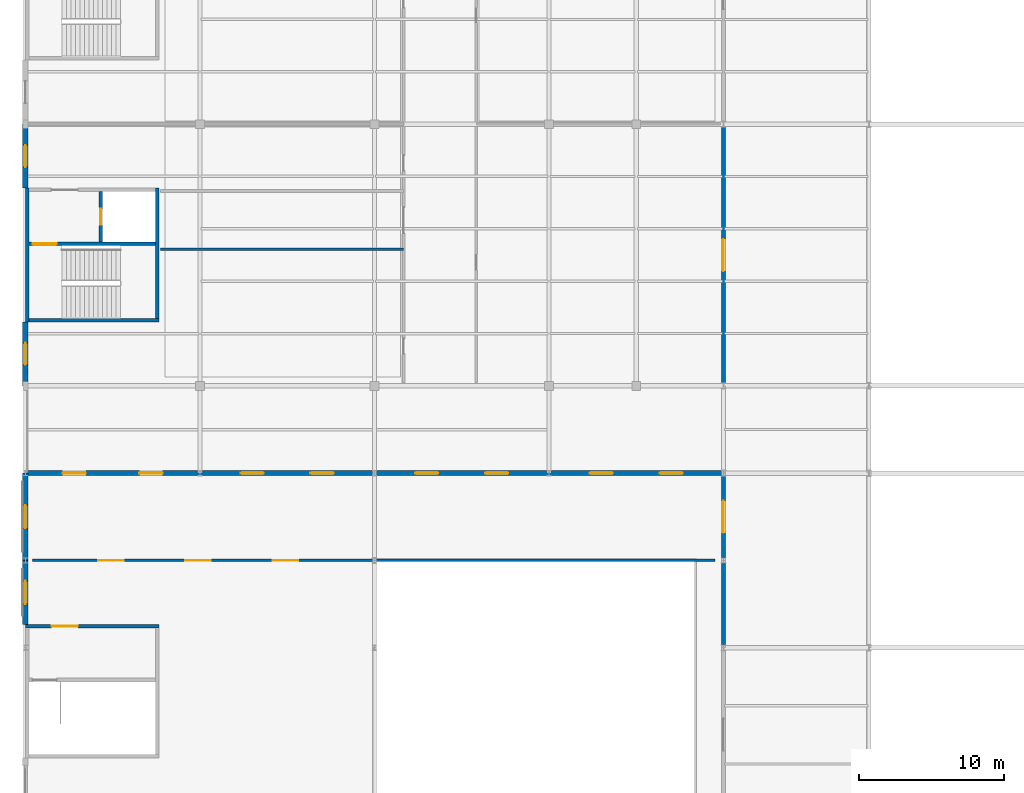
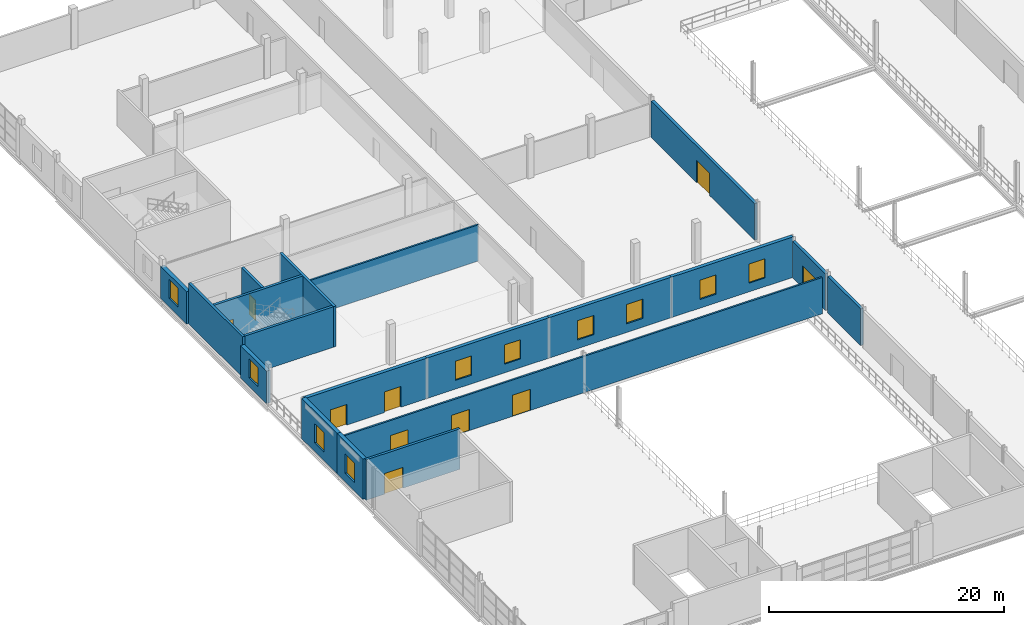
# One storey, part 133 of 147: 19 walls, 10 doors, 10 windows, 20 openings.
"""IFC4 building model written with IfcOpenShell, lengths in metres."""

import ifcopenshell
import ifcopenshell.guid

model = None  # the IFC model being written
_history = None  # IfcOwnerHistory: only IFC2X3 demands one
_inside = {}  # id of a spatial element -> (the spatial element, [elements in it])
_under = {}  # id of a project, library or spatial element -> (it, [spatial elements below it])
_declared = {}  # id of a project -> (the project, [libraries it declares])
_typed = {}  # id of a type object -> (the type object, [elements of that type])
_made_of = {}  # id of a material, layer set ... -> (it, [elements and type objects made of it])


def new_model(schema):
    """Start an empty IFC model of exactly this schema.

    Asked for "IFC4X3", IfcOpenShell would pick the latest addendum, in which some entities
    have other attributes; the version numbers below select the first issue.
    IFC2X3 requires an IfcOwnerHistory on every rooted entity: one is made here for all.
    """
    global model, _history
    if schema == "IFC4X3":
        model = ifcopenshell.file(schema_version=(4, 3, 0, 0))
    else:
        model = ifcopenshell.file(schema=schema)
    _inside.clear()
    _under.clear()
    _declared.clear()
    _typed.clear()
    _made_of.clear()
    _history = None
    if model.schema == "IFC2X3":
        org = make("IfcOrganization", Name="unknown")
        user = make(
            "IfcPersonAndOrganization",
            ThePerson=make("IfcPerson", FamilyName="unknown"),
            TheOrganization=org,
        )
        app = make(
            "IfcApplication",
            ApplicationDeveloper=org,
            Version="unknown",
            ApplicationFullName="unknown",
            ApplicationIdentifier="unknown",
        )
        _history = make(
            "IfcOwnerHistory",
            OwningUser=user,
            OwningApplication=app,
            ChangeAction="ADDED",
            CreationDate=0,
        )
    return model


def make(cls, **values):
    """One entity of the class cls with the attributes given. An attribute that is None is left unset."""
    return model.create_entity(
        cls, **{name: value for name, value in values.items() if value is not None}
    )


def rooted(cls, **values):
    """An entity with a GlobalId (a new one), such as an element, a storey or a relation."""
    return make(cls, GlobalId=ifcopenshell.guid.new(), OwnerHistory=_history, **values)


def si_unit(unit_type, name, prefix=None):
    """IfcSIUnit, for example si_unit("LENGTHUNIT", "METRE", prefix="MILLI")."""
    return make("IfcSIUnit", UnitType=unit_type, Prefix=prefix, Name=name)


def assignment(units):
    """IfcUnitAssignment: the units of a project."""
    return None if units is None else make("IfcUnitAssignment", Units=units)


def point(xyz):
    """IfcCartesianPoint."""
    return None if xyz is None else make("IfcCartesianPoint", Coordinates=xyz)


def direction(xyz):
    """IfcDirection."""
    return None if xyz is None else make("IfcDirection", DirectionRatios=xyz)


def frame(location, z_axis=None, x_axis=None):
    """IfcAxis2Placement3D, a coordinate frame: its origin and axes. An axis left out is left unset."""
    return make(
        "IfcAxis2Placement3D",
        Location=point(location),
        Axis=direction(z_axis),
        RefDirection=direction(x_axis),
    )


def frame_2d(location, x_axis=None):
    """IfcAxis2Placement2D, a coordinate frame in the plane: its origin and x axis."""
    return make(
        "IfcAxis2Placement2D", Location=point(location), RefDirection=direction(x_axis)
    )


def origin():
    """The frame at (0, 0, 0) with its axes left unset."""
    return frame((0.0, 0.0, 0.0))


def place(relative_to, where):
    """IfcLocalPlacement: puts the frame where relative to a parent placement (None: the world)."""
    return make(
        "IfcLocalPlacement", PlacementRelTo=relative_to, RelativePlacement=where
    )


def context(
    kind, dimensions, precision=None, world=None, true_north=None, identifier=None
):
    """IfcGeometricRepresentationContext, for example the 3D "Model" context."""
    return make(
        "IfcGeometricRepresentationContext",
        ContextIdentifier=identifier,
        ContextType=kind,
        CoordinateSpaceDimension=dimensions,
        Precision=precision,
        WorldCoordinateSystem=world,
        TrueNorth=true_north,
    )


def subcontext(parent, identifier, kind, view, scale=None):
    """IfcGeometricRepresentationSubContext, for example "Body" below "Model"."""
    return make(
        "IfcGeometricRepresentationSubContext",
        ContextIdentifier=identifier,
        ContextType=kind,
        ParentContext=parent,
        TargetScale=scale,
        TargetView=view,
    )


def project(units=None, contexts=None):
    """IfcProject with its units and contexts."""
    return rooted(
        "IfcProject",
        Name="project",
        RepresentationContexts=contexts,
        UnitsInContext=assignment(units),
    )


def spatial(cls, under=None, at=None, **own):
    """A site, building, storey or space (cls), placed at a placement, below another one or the project."""
    s = rooted(cls, ObjectPlacement=at, **own)
    if under is not None:
        _under.setdefault(under.id(), (under, []))[1].append(s)
    return s


def profile(cls, at=None, kind="AREA", **sizes):
    """A parametric profile (cls). Its sizes go by their IFC names, for example OverallWidth=200.0."""
    return make(cls, ProfileType=kind, Position=at, **sizes)


def rectangle(**sizes):
    """IfcRectangleProfileDef."""
    return profile("IfcRectangleProfileDef", **sizes)


def extrude(swept, where, along, depth):
    """IfcExtrudedAreaSolid: the profile swept, set in the frame where, extruded along a direction by depth."""
    return make(
        "IfcExtrudedAreaSolid",
        SweptArea=swept,
        Position=where,
        ExtrudedDirection=direction(along),
        Depth=depth,
    )


def shape(context_of_items, identifier, shape_type, items):
    """IfcShapeRepresentation: the items that make up one representation, for example the "Body"."""
    return make(
        "IfcShapeRepresentation",
        ContextOfItems=context_of_items,
        RepresentationIdentifier=identifier,
        RepresentationType=shape_type,
        Items=items,
    )


def material(Name=None, Category=None):
    """IfcMaterial."""
    return make("IfcMaterial", Name=Name, Category=Category)


def layer(
    of_material, thickness, ventilated=None, Name=None, Category=None, Priority=None
):
    """IfcMaterialLayer: one layer of a wall or slab, of a material (None: an air gap)."""
    return make(
        "IfcMaterialLayer",
        Material=of_material,
        LayerThickness=thickness,
        IsVentilated=ventilated,
        Name=Name,
        Category=Category,
        Priority=Priority,
    )


def layer_set(layers, Name=None):
    """IfcMaterialLayerSet."""
    return make("IfcMaterialLayerSet", MaterialLayers=layers, LayerSetName=Name)


def made_of(thing, what):
    """Note that an element or type object is made of a material, layer set ...; save() writes the relation."""
    if what is not None:
        _made_of.setdefault(what.id(), (what, []))[1].append(thing)
    return thing


def type_object(cls, material=None, **own):
    """A type object (cls), such as IfcWallType, which elements share."""
    return made_of(rooted(cls, **own), material)


def element(
    cls,
    number,
    at=None,
    inside=None,
    cuts=None,
    type_object=None,
    material=None,
    context=None,
    identifier="Body",
    shape_type=None,
    held_by="IfcProductDefinitionShape",
    body=None,
    shapes=None,
    **own,
):
    """One element of the class cls, such as IfcWall. Its Tag is "e" and its number.

    at: its placement. inside: the storey or other place that contains it. cuts: it is an
    opening in that element (IfcRelVoidsElement). A single representation is given by context,
    identifier, shape_type and body (its items); several are given by shapes. held_by: the class
    of the entity that holds the representations. save() writes the other relations.
    """
    e = rooted(cls, Tag="e%d" % number, ObjectPlacement=at, **own)
    if body is not None:
        shapes = [shape(context, identifier, shape_type, body)]
    if shapes is not None:
        e.Representation = make(held_by, Representations=shapes)
    if inside is not None:
        _inside.setdefault(inside.id(), (inside, []))[1].append(e)
    if cuts is not None:
        rooted(
            "IfcRelVoidsElement", RelatingBuildingElement=cuts, RelatedOpeningElement=e
        )
    if type_object is not None:
        _typed.setdefault(type_object.id(), (type_object, []))[1].append(e)
    return made_of(e, material)


def fill(opening, filler):
    """IfcRelFillsElement: the door or window that sits in an opening."""
    return rooted(
        "IfcRelFillsElement",
        RelatingOpeningElement=opening,
        RelatedBuildingElement=filler,
    )


def aggregate(whole, parts):
    """IfcRelAggregates: a whole, such as a stair, and the parts it consists of."""
    return rooted("IfcRelAggregates", RelatingObject=whole, RelatedObjects=parts)


def save(model, path):
    """Write the relations noted so far, then the file.

    IfcRelAggregates (storeys below a building ...), IfcRelContainedInSpatialStructure (elements
    in a storey), IfcRelDefinesByType, IfcRelAssociatesMaterial and IfcRelDeclares: one each for
    every whole, place, type object, material and project.
    """
    for whole, parts in _under.values():
        aggregate(whole, parts)
    for where, things in _inside.values():
        rooted(
            "IfcRelContainedInSpatialStructure",
            RelatedElements=things,
            RelatingStructure=where,
        )
    for kind, things in _typed.values():
        rooted("IfcRelDefinesByType", RelatedObjects=things, RelatingType=kind)
    for what, things in _made_of.values():
        rooted("IfcRelAssociatesMaterial", RelatedObjects=things, RelatingMaterial=what)
    for by, libraries in _declared.values():
        rooted("IfcRelDeclares", RelatingContext=by, RelatedDefinitions=libraries)
    model.write(path)


model = new_model("IFC4")

# Units and contexts
model_context = context("Model", 3, precision=1e-05, world=origin(), true_north=direction((0.0, 1.0)))
body_context = subcontext(model_context, "Body", "Model", "MODEL_VIEW")
ifc_project = project(units=[si_unit("LENGTHUNIT", "METRE"), si_unit("AREAUNIT", "SQUARE_METRE"), si_unit("VOLUMEUNIT", "CUBIC_METRE"), si_unit("PLANEANGLEUNIT", "RADIAN"), si_unit("MASSUNIT", "GRAM", prefix="KILO")], contexts=[model_context])

# Site, building, storey
site_placement = place(None, origin())
site = spatial("IfcSite", under=ifc_project, at=site_placement, CompositionType="ELEMENT")
building_placement = place(site_placement, origin())
building = spatial("IfcBuilding", under=site, at=building_placement, Name="Zilviju Railside Exhibition Hall", CompositionType="ELEMENT")
storey_placement = place(building_placement, frame((0.0, 0.0, 8.39990234375)))
storey = spatial("IfcBuildingStorey", under=building, at=storey_placement, Name="L03", CompositionType="ELEMENT", Elevation=8.39990234375)

# Wall
ifc_material_1 = material(Name="Concrete C35/45", Category="concrete")
ifc_layer_1 = layer(ifc_material_1, 0.280029296875)
ifc_layer_set_1 = layer_set([ifc_layer_1], Name="Concrete C35/45")
wall_type_1 = type_object("IfcWallType", Name="WL-COMP-280", PredefinedType="SHEAR", material=ifc_layer_set_1)
wall_1_placement = place(storey_placement, frame((48.0, 66.201904296875, 0.0), z_axis=(0.0, 0.0, 1.0), x_axis=(0.0, 1.0, 0.0)))
element("IfcWall", 1, at=wall_1_placement, inside=storey, type_object=wall_type_1, Name="REI 180 Congress-Concourse Compartment Wall L03", PredefinedType="SHEAR", context=body_context, shape_type="SweptSolid", body=[
    extrude(rectangle(XDim=5.59619140625, YDim=0.280029296875, at=frame_2d((2.798095703125, 0.0))), origin(), (0.0, 0.0, 1.0), 3.800048828125),
])

# Wall, opening, door
wall_2_placement = place(storey_placement, frame((48.0, 72.201904296875, 0.0), z_axis=(0.0, 0.0, 1.0), x_axis=(0.0, 1.0, 0.0)))
wall_2 = element("IfcWall", 2, at=wall_2_placement, inside=storey, type_object=wall_type_1, Name="REI 180 Congress-Concourse Compartment Wall L03", PredefinedType="SHEAR", context=body_context, shape_type="SweptSolid", body=[
    extrude(rectangle(XDim=5.59619140625, YDim=0.280029296875, at=frame_2d((2.798095703125, 0.0))), origin(), (0.0, 0.0, 1.0), 3.800048828125),
])
opening_1_placement = place(wall_2_placement, frame((1.697998046875, 0.0, 0.0)))
opening_1 = element("IfcOpeningElement", 3, at=opening_1_placement, cuts=wall_2, Name="Opening FD-03", PredefinedType="OPENING", context=body_context, shape_type="SweptSolid", body=[
    extrude(rectangle(XDim=2.199951171875, YDim=2.300048828125, at=frame_2d((1.10009765625, 1.14990234375))), frame((0.0, 0.14990234375, 0.0), z_axis=(0.0, -1.0, 0.0), x_axis=(1.0, 0.0, 0.0)), (0.0, 0.0, 1.0), 0.300048828125),
])
ifc_material_2 = material(Name="Hold-open double compartment fire door EI 60", Category="wood")
door_type_1 = type_object("IfcDoorType", Name="DR-COMP-220x230", OperationType="NOTDEFINED", PredefinedType="DOOR", material=ifc_material_2)
door_1_placement = place(opening_1_placement, origin())
door_1 = element("IfcDoor", 4, at=door_1_placement, inside=storey, type_object=door_type_1, Name="Congress Link Fire Door L03", OperationType="DOUBLE_DOOR_SINGLE_SWING", OverallHeight=2.300048828125, OverallWidth=2.199951171875, PredefinedType="DOOR", context=body_context, shape_type="SweptSolid", body=[
    extrude(rectangle(XDim=2.199951171875, YDim=2.300048828125, at=frame_2d((1.10009765625, 1.14990234375))), frame((0.0, 0.02490234375, 0.0), z_axis=(0.0, -1.0, 0.0), x_axis=(1.0, 0.0, 0.0)), (0.0, 0.0, 1.0), 0.050048828125),
])
fill(opening_1, door_1)

wall_3_placement = place(storey_placement, frame((48.0, 84.201904296875, 0.0), z_axis=(0.0, 0.0, 1.0), x_axis=(0.0, 1.0, 0.0)))
wall_3 = element("IfcWall", 5, at=wall_3_placement, inside=storey, type_object=wall_type_1, Name="REI 180 Congress-Concourse Compartment Wall L03", PredefinedType="SHEAR", context=body_context, shape_type="SweptSolid", body=[
    extrude(rectangle(XDim=17.59619140625, YDim=0.280029296875, at=frame_2d((8.798095703125, 0.0))), origin(), (0.0, 0.0, 1.0), 3.800048828125),
])
opening_2_placement = place(wall_3_placement, frame((7.697998046875, 0.0, 0.0)))
opening_2 = element("IfcOpeningElement", 6, at=opening_2_placement, cuts=wall_3, Name="Opening FD-03", PredefinedType="OPENING", context=body_context, shape_type="SweptSolid", body=[
    extrude(rectangle(XDim=2.199951171875, YDim=2.300048828125, at=frame_2d((1.10009765625, 1.14990234375))), frame((0.0, 0.14990234375, 0.0), z_axis=(0.0, -1.0, 0.0), x_axis=(1.0, 0.0, 0.0)), (0.0, 0.0, 1.0), 0.300048828125),
])
door_2_placement = place(opening_2_placement, origin())
door_2 = element("IfcDoor", 7, at=door_2_placement, inside=storey, type_object=door_type_1, Name="Congress Link Fire Door L03", OperationType="DOUBLE_DOOR_SINGLE_SWING", OverallHeight=2.300048828125, OverallWidth=2.199951171875, PredefinedType="DOOR", context=body_context, shape_type="SweptSolid", body=[
    extrude(rectangle(XDim=2.199951171875, YDim=2.300048828125, at=frame_2d((1.10009765625, 1.14990234375))), frame((0.0, 0.02490234375, 0.0), z_axis=(0.0, -1.0, 0.0), x_axis=(1.0, 0.0, 0.0)), (0.0, 0.0, 1.0), 0.050048828125),
])
fill(opening_2, door_2)

ifc_layer_2 = layer(ifc_material_1, 0.25)
ifc_layer_set_2 = layer_set([ifc_layer_2], Name="Concrete C35/45")
wall_type_2 = type_object("IfcWallType", Name="WL-CORE-250", PredefinedType="SHEAR", material=ifc_layer_set_2)
wall_4_placement = place(storey_placement, frame((0.0, 67.47509765625, 0.0), z_axis=(0.0, 0.0, 1.0), x_axis=(1.0, 0.0, 0.0)))
wall_4 = element("IfcWall", 8, at=wall_4_placement, inside=storey, type_object=wall_type_2, Name="Core C14 Congress Plenary West Lobby Side Wall L03", PredefinedType="SHEAR", context=body_context, shape_type="SweptSolid", body=[
    extrude(rectangle(XDim=9.199951171875, YDim=0.25, at=frame_2d((4.60009765625, 0.0))), origin(), (0.0, 0.0, 1.0), 4.2001953125),
])
opening_3_placement = place(wall_4_placement, frame((1.800048828125, 0.0, 0.0)))
opening_3 = element("IfcOpeningElement", 9, at=opening_3_placement, cuts=wall_4, Name="Opening FD-02", PredefinedType="OPENING", context=body_context, shape_type="SweptSolid", body=[
    extrude(rectangle(XDim=1.800048828125, YDim=2.14990234375, at=frame_2d((0.89990234375, 1.074951171875))), frame((0.0, 0.135009765625, 0.0), z_axis=(0.0, -1.0, 0.0), x_axis=(1.0, 0.0, 0.0)), (0.0, 0.0, 1.0), 0.27001953125),
])
ifc_material_3 = material(Name="Self-closing glazed steel core lobby fire door EI 60", Category="steel")
door_type_2 = type_object("IfcDoorType", Name="DR-LOBBY-180x215", OperationType="NOTDEFINED", PredefinedType="DOOR", material=ifc_material_3)
door_3_placement = place(opening_3_placement, origin())
door_3 = element("IfcDoor", 10, at=door_3_placement, inside=storey, type_object=door_type_2, Name="Core C14 Congress Plenary West Lobby Fire Door L03", OperationType="DOUBLE_DOOR_SINGLE_SWING", OverallHeight=2.14990234375, OverallWidth=1.800048828125, PredefinedType="DOOR", context=body_context, shape_type="SweptSolid", body=[
    extrude(rectangle(XDim=1.800048828125, YDim=2.14990234375, at=frame_2d((0.89990234375, 1.074951171875))), frame((0.0, 0.02490234375, 0.0), z_axis=(0.0, -1.0, 0.0), x_axis=(1.0, 0.0, 0.0)), (0.0, 0.0, 1.0), 0.050048828125),
])
fill(opening_3, door_3)

# Walls
wall_5_placement = place(storey_placement, frame((0.0, 88.52490234375, 0.0), z_axis=(0.0, 0.0, 1.0), x_axis=(1.0, 0.0, 0.0)))
element("IfcWall", 11, at=wall_5_placement, inside=storey, type_object=wall_type_2, Name="Core C15 Organisers Wing South Stairwell Outer Wall L03", PredefinedType="SHEAR", context=body_context, shape_type="SweptSolid", body=[
    extrude(rectangle(XDim=9.199951171875, YDim=0.25, at=frame_2d((4.60009765625, 0.0))), origin(), (0.0, 0.0, 1.0), 4.2001953125),
])
wall_6_placement = place(storey_placement, frame((9.074951171875, 88.39990234375, 0.0), z_axis=(0.0, 0.0, 1.0), x_axis=(0.0, 1.0, 0.0)))
element("IfcWall", 12, at=wall_6_placement, inside=storey, type_object=wall_type_2, Name="Core C15 Organisers Wing South Core Rear Wall L03", PredefinedType="SHEAR", context=body_context, shape_type="SweptSolid", body=[
    extrude(rectangle(XDim=9.2001953125, YDim=0.25, at=frame_2d((4.60009765625, 0.0))), origin(), (0.0, 0.0, 1.0), 4.2001953125),
])

# Wall, opening, door
wall_7_placement = place(storey_placement, frame((0.25, 93.77490234375, 0.0), z_axis=(0.0, 0.0, 1.0), x_axis=(1.0, 0.0, 0.0)))
wall_7 = element("IfcWall", 13, at=wall_7_placement, inside=storey, type_object=wall_type_2, Name="Core C15 Organisers Wing South Stairwell Partition Wall L03", PredefinedType="SHEAR", context=body_context, shape_type="SweptSolid", body=[
    extrude(rectangle(XDim=8.699951171875, YDim=0.25, at=frame_2d((4.35009765625, 0.0))), origin(), (0.0, 0.0, 1.0), 4.2001953125),
])
opening_4_placement = place(wall_7_placement, frame((0.25, 0.0, 0.0)))
opening_4 = element("IfcOpeningElement", 14, at=opening_4_placement, cuts=wall_7, Name="Opening FD-01", PredefinedType="OPENING", context=body_context, shape_type="SweptSolid", body=[
    extrude(rectangle(XDim=1.64990234375, YDim=2.10009765625, at=frame_2d((0.824951171875, 1.050048828125))), frame((0.0, 0.135009765625, 0.0), z_axis=(0.0, -1.0, 0.0), x_axis=(1.0, 0.0, 0.0)), (0.0, 0.0, 1.0), 0.27001953125),
])
ifc_material_4 = material(Name="Self-closing steel stair enclosure fire door EI 60", Category="steel")
door_type_3 = type_object("IfcDoorType", Name="DR-STAIR-165x210", OperationType="NOTDEFINED", PredefinedType="DOOR", material=ifc_material_4)
door_4_placement = place(opening_4_placement, origin())
door_4 = element("IfcDoor", 15, at=door_4_placement, inside=storey, type_object=door_type_3, Name="Core C15 Organisers Wing South Protected Stair Door L03", OperationType="SINGLE_SWING_LEFT", OverallHeight=2.10009765625, OverallWidth=1.64990234375, PredefinedType="DOOR", context=body_context, shape_type="SweptSolid", body=[
    extrude(rectangle(XDim=1.64990234375, YDim=2.10009765625, at=frame_2d((0.824951171875, 1.050048828125))), frame((0.0, 0.02490234375, 0.0), z_axis=(0.0, -1.0, 0.0), x_axis=(1.0, 0.0, 0.0)), (0.0, 0.0, 1.0), 0.050048828125),
])
fill(opening_4, door_4)

wall_8_placement = place(storey_placement, frame((5.175048828125, 93.89990234375, 0.0), z_axis=(0.0, 0.0, 1.0), x_axis=(0.0, 1.0, 0.0)))
wall_8 = element("IfcWall", 16, at=wall_8_placement, inside=storey, type_object=wall_type_2, Name="Core C15 Organisers Wing South Lift Shaft Front Wall L03", PredefinedType="SHEAR", context=body_context, shape_type="SweptSolid", body=[
    extrude(rectangle(XDim=3.4501953125, YDim=0.25, at=frame_2d((1.72509765625, 0.0))), origin(), (0.0, 0.0, 1.0), 4.2001953125),
])
opening_5_placement = place(wall_8_placement, frame((1.175048828125, 0.0, 0.0)))
opening_5 = element("IfcOpeningElement", 17, at=opening_5_placement, cuts=wall_8, Name="Opening LD-01", PredefinedType="OPENING", context=body_context, shape_type="SweptSolid", body=[
    extrude(rectangle(XDim=1.10009765625, YDim=2.10009765625, at=frame_2d((0.550048828125, 1.050048828125))), frame((0.0, 0.135009765625, 0.0), z_axis=(0.0, -1.0, 0.0), x_axis=(1.0, 0.0, 0.0)), (0.0, 0.0, 1.0), 0.27001953125),
])
ifc_material_5 = material(Name="Passenger lift sliding landing door EI 60", Category="wood")
door_type_4 = type_object("IfcDoorType", Name="DR-LIFT-110x210", OperationType="NOTDEFINED", PredefinedType="DOOR", material=ifc_material_5)
door_5_placement = place(opening_5_placement, origin())
door_5 = element("IfcDoor", 18, at=door_5_placement, inside=storey, type_object=door_type_4, Name="Lift Landing Door LP-06 L03", OperationType="SLIDING_TO_LEFT", OverallHeight=2.10009765625, OverallWidth=1.10009765625, PredefinedType="DOOR", context=body_context, shape_type="SweptSolid", body=[
    extrude(rectangle(XDim=1.10009765625, YDim=2.10009765625, at=frame_2d((0.550048828125, 1.050048828125))), frame((0.0, 0.02490234375, 0.0), z_axis=(0.0, -1.0, 0.0), x_axis=(1.0, 0.0, 0.0)), (0.0, 0.0, 1.0), 0.050048828125),
])
fill(opening_5, door_5)

# Wall
ifc_material_6 = material(Name="Concrete C40/50", Category="concrete")
ifc_layer_3 = layer(ifc_material_6, 0.25)
ifc_layer_set_3 = layer_set([ifc_layer_3], Name="Concrete C40/50")
wall_type_3 = type_object("IfcWallType", Name="WL-CORE-300", PredefinedType="SHEAR", material=ifc_layer_set_3)
wall_9_placement = place(storey_placement, frame((0.125, 88.39990234375, 0.0), z_axis=(0.0, 0.0, 1.0), x_axis=(0.0, 1.0, 0.0)))
element("IfcWall", 19, at=wall_9_placement, inside=storey, type_object=wall_type_3, Name="Core C15 Organisers Wing South Exterior Core Wall L03", PredefinedType="SHEAR", context=body_context, shape_type="SweptSolid", body=[
    extrude(rectangle(XDim=9.2001953125, YDim=0.25, at=frame_2d((4.60009765625, 0.0))), origin(), (0.0, 0.0, 1.0), 4.2001953125),
])

# Wall, openings, doors
ifc_material_7 = material(Name="Insulated terrace foyer masonry wall", Category="masonry")
ifc_layer_4 = layer(ifc_material_7, 0.340087890625)
ifc_layer_set_4 = layer_set([ifc_layer_4], Name="Insulated terrace foyer masonry wall")
wall_type_4 = type_object("IfcWallType", Name="WL-EXT-340", PredefinedType="SOLIDWALL", material=ifc_layer_set_4)
wall_10_placement = place(storey_placement, frame((0.0, 78.0, 0.0), z_axis=(0.0, 0.0, 1.0), x_axis=(1.0, 0.0, 0.0)))
wall_10 = element("IfcWall", 20, at=wall_10_placement, inside=storey, type_object=wall_type_4, Name="Exterior Facade Wall L03 North 0462", PredefinedType="SOLIDWALL", context=body_context, shape_type="SweptSolid", body=[
    extrude(rectangle(XDim=12.0, YDim=0.340087890625, at=frame_2d((6.0, 0.0))), origin(), (0.0, 0.0, 1.0), 4.2001953125),
])
opening_6_placement = place(wall_10_placement, frame((2.56005859375, 0.0, 0.0)))
opening_6 = element("IfcOpeningElement", 21, at=opening_6_placement, cuts=wall_10, Name="Opening TD-02", PredefinedType="OPENING", context=body_context, shape_type="SweptSolid", body=[
    extrude(rectangle(XDim=1.60009765625, YDim=2.14990234375, at=frame_2d((0.800048828125, 1.074951171875))), frame((0.0, 0.179931640625, 0.0), z_axis=(0.0, -1.0, 0.0), x_axis=(1.0, 0.0, 0.0)), (0.0, 0.0, 1.0), 0.360107421875),
])
opening_7_placement = place(wall_10_placement, frame((7.840087890625, 0.0, 0.0)))
opening_7 = element("IfcOpeningElement", 22, at=opening_7_placement, cuts=wall_10, Name="Opening TD-02", PredefinedType="OPENING", context=body_context, shape_type="SweptSolid", body=[
    extrude(rectangle(XDim=1.60009765625, YDim=2.14990234375, at=frame_2d((0.800048828125, 1.074951171875))), frame((0.0, 0.179931640625, 0.0), z_axis=(0.0, -1.0, 0.0), x_axis=(1.0, 0.0, 0.0)), (0.0, 0.0, 1.0), 0.360107421875),
])
ifc_material_8 = material(Name="Triple-glazed terrace lounge door", Category="steel")
door_type_5 = type_object("IfcDoorType", Name="DR-EXT-TERR-160x215", OperationType="NOTDEFINED", PredefinedType="DOOR", material=ifc_material_8)
door_6_placement = place(opening_6_placement, origin())
door_6 = element("IfcDoor", 23, at=door_6_placement, inside=storey, type_object=door_type_5, Name="Congress North Skirt Roof Garden Door TD-V4-N", OperationType="DOUBLE_DOOR_SINGLE_SWING", OverallHeight=2.14990234375, OverallWidth=1.60009765625, PredefinedType="DOOR", context=body_context, shape_type="SweptSolid", body=[
    extrude(rectangle(XDim=1.60009765625, YDim=2.14990234375, at=frame_2d((0.800048828125, 1.074951171875))), frame((0.0, 0.02490234375, 0.0), z_axis=(0.0, -1.0, 0.0), x_axis=(1.0, 0.0, 0.0)), (0.0, 0.0, 1.0), 0.050048828125),
])
fill(opening_6, door_6)
door_7_placement = place(opening_7_placement, origin())
door_7 = element("IfcDoor", 24, at=door_7_placement, inside=storey, type_object=door_type_5, Name="Congress North Skirt Roof Garden Door TD-V4-N", OperationType="DOUBLE_DOOR_SINGLE_SWING", OverallHeight=2.14990234375, OverallWidth=1.60009765625, PredefinedType="DOOR", context=body_context, shape_type="SweptSolid", body=[
    extrude(rectangle(XDim=1.60009765625, YDim=2.14990234375, at=frame_2d((0.800048828125, 1.074951171875))), frame((0.0, 0.02490234375, 0.0), z_axis=(0.0, -1.0, 0.0), x_axis=(1.0, 0.0, 0.0)), (0.0, 0.0, 1.0), 0.050048828125),
])
fill(opening_7, door_7)

# Wall, openings, windows
wall_11_placement = place(storey_placement, frame((12.0, 78.0, 0.0), z_axis=(0.0, 0.0, 1.0), x_axis=(1.0, 0.0, 0.0)))
wall_11 = element("IfcWall", 25, at=wall_11_placement, inside=storey, type_object=wall_type_4, Name="Exterior Facade Wall L03 North 0463", PredefinedType="SOLIDWALL", context=body_context, shape_type="SweptSolid", body=[
    extrude(rectangle(XDim=12.0, YDim=0.340087890625, at=frame_2d((6.0, 0.0))), origin(), (0.0, 0.0, 1.0), 4.2001953125),
])
opening_8_placement = place(wall_11_placement, frame((2.800048828125, 0.0, 0.89990234375)))
opening_8 = element("IfcOpeningElement", 26, at=opening_8_placement, cuts=wall_11, Name="Opening WN-02", PredefinedType="OPENING", context=body_context, shape_type="SweptSolid", body=[
    extrude(rectangle(XDim=1.60009765625, YDim=2.0, at=frame_2d((0.800048828125, 1.0))), frame((0.0, 0.179931640625, 0.0), z_axis=(0.0, -1.0, 0.0), x_axis=(1.0, 0.0, 0.0)), (0.0, 0.0, 1.0), 0.360107421875),
])
opening_9_placement = place(wall_11_placement, frame((7.60009765625, 0.0, 0.89990234375)))
opening_9 = element("IfcOpeningElement", 27, at=opening_9_placement, cuts=wall_11, Name="Opening WN-02", PredefinedType="OPENING", context=body_context, shape_type="SweptSolid", body=[
    extrude(rectangle(XDim=1.60009765625, YDim=2.0, at=frame_2d((0.800048828125, 1.0))), frame((0.0, 0.179931640625, 0.0), z_axis=(0.0, -1.0, 0.0), x_axis=(1.0, 0.0, 0.0)), (0.0, 0.0, 1.0), 0.360107421875),
])
ifc_material_9 = material(Name="Triple-glazed timber-aluminium window unit", Category="wood")
window_type_1 = type_object("IfcWindowType", Name="WIN-JUG-160x200", PartitioningType="DOUBLE_PANEL_VERTICAL", PredefinedType="WINDOW", material=ifc_material_9)
window_1_placement = place(opening_8_placement, origin())
window_1 = element("IfcWindow", 28, at=window_1_placement, inside=storey, type_object=window_type_1, Name="Facade Window L03 WN-0032", OverallHeight=2.0, OverallWidth=1.60009765625, PartitioningType="SINGLE_PANEL", PredefinedType="WINDOW", context=body_context, shape_type="SweptSolid", body=[
    extrude(rectangle(XDim=1.60009765625, YDim=2.0, at=frame_2d((0.800048828125, 1.0))), frame((0.0, 0.030029296875, 0.0), z_axis=(0.0, -1.0, 0.0), x_axis=(1.0, 0.0, 0.0)), (0.0, 0.0, 1.0), 0.06005859375),
])
fill(opening_8, window_1)
window_2_placement = place(opening_9_placement, origin())
window_2 = element("IfcWindow", 29, at=window_2_placement, inside=storey, type_object=window_type_1, Name="Facade Window L03 WN-0033", OverallHeight=2.0, OverallWidth=1.60009765625, PartitioningType="SINGLE_PANEL", PredefinedType="WINDOW", context=body_context, shape_type="SweptSolid", body=[
    extrude(rectangle(XDim=1.60009765625, YDim=2.0, at=frame_2d((0.800048828125, 1.0))), frame((0.0, 0.030029296875, 0.0), z_axis=(0.0, -1.0, 0.0), x_axis=(1.0, 0.0, 0.0)), (0.0, 0.0, 1.0), 0.06005859375),
])
fill(opening_9, window_2)

wall_12_placement = place(storey_placement, frame((24.0, 78.0, 0.0), z_axis=(0.0, 0.0, 1.0), x_axis=(1.0, 0.0, 0.0)))
wall_12 = element("IfcWall", 30, at=wall_12_placement, inside=storey, type_object=wall_type_4, Name="Exterior Facade Wall L03 North 0464", PredefinedType="SOLIDWALL", context=body_context, shape_type="SweptSolid", body=[
    extrude(rectangle(XDim=12.0, YDim=0.340087890625, at=frame_2d((6.0, 0.0))), origin(), (0.0, 0.0, 1.0), 4.2001953125),
])
opening_10_placement = place(wall_12_placement, frame((2.800048828125, 0.0, 0.89990234375)))
opening_10 = element("IfcOpeningElement", 31, at=opening_10_placement, cuts=wall_12, Name="Opening WN-02", PredefinedType="OPENING", context=body_context, shape_type="SweptSolid", body=[
    extrude(rectangle(XDim=1.60009765625, YDim=2.0, at=frame_2d((0.800048828125, 1.0))), frame((0.0, 0.179931640625, 0.0), z_axis=(0.0, -1.0, 0.0), x_axis=(1.0, 0.0, 0.0)), (0.0, 0.0, 1.0), 0.360107421875),
])
opening_11_placement = place(wall_12_placement, frame((7.60009765625, 0.0, 0.89990234375)))
opening_11 = element("IfcOpeningElement", 32, at=opening_11_placement, cuts=wall_12, Name="Opening WN-02", PredefinedType="OPENING", context=body_context, shape_type="SweptSolid", body=[
    extrude(rectangle(XDim=1.60009765625, YDim=2.0, at=frame_2d((0.800048828125, 1.0))), frame((0.0, 0.179931640625, 0.0), z_axis=(0.0, -1.0, 0.0), x_axis=(1.0, 0.0, 0.0)), (0.0, 0.0, 1.0), 0.360107421875),
])
window_3_placement = place(opening_10_placement, origin())
window_3 = element("IfcWindow", 33, at=window_3_placement, inside=storey, type_object=window_type_1, Name="Facade Window L03 WN-0034", OverallHeight=2.0, OverallWidth=1.60009765625, PartitioningType="SINGLE_PANEL", PredefinedType="WINDOW", context=body_context, shape_type="SweptSolid", body=[
    extrude(rectangle(XDim=1.60009765625, YDim=2.0, at=frame_2d((0.800048828125, 1.0))), frame((0.0, 0.030029296875, 0.0), z_axis=(0.0, -1.0, 0.0), x_axis=(1.0, 0.0, 0.0)), (0.0, 0.0, 1.0), 0.06005859375),
])
fill(opening_10, window_3)
window_4_placement = place(opening_11_placement, origin())
window_4 = element("IfcWindow", 34, at=window_4_placement, inside=storey, type_object=window_type_1, Name="Facade Window L03 WN-0035", OverallHeight=2.0, OverallWidth=1.60009765625, PartitioningType="SINGLE_PANEL", PredefinedType="WINDOW", context=body_context, shape_type="SweptSolid", body=[
    extrude(rectangle(XDim=1.60009765625, YDim=2.0, at=frame_2d((0.800048828125, 1.0))), frame((0.0, 0.030029296875, 0.0), z_axis=(0.0, -1.0, 0.0), x_axis=(1.0, 0.0, 0.0)), (0.0, 0.0, 1.0), 0.06005859375),
])
fill(opening_11, window_4)

wall_13_placement = place(storey_placement, frame((36.0, 78.0, 0.0), z_axis=(0.0, 0.0, 1.0), x_axis=(1.0, 0.0, 0.0)))
wall_13 = element("IfcWall", 35, at=wall_13_placement, inside=storey, type_object=wall_type_4, Name="Exterior Facade Wall L03 North 0465", PredefinedType="SOLIDWALL", context=body_context, shape_type="SweptSolid", body=[
    extrude(rectangle(XDim=12.0, YDim=0.340087890625, at=frame_2d((6.0, 0.0))), origin(), (0.0, 0.0, 1.0), 4.2001953125),
])
opening_12_placement = place(wall_13_placement, frame((2.800048828125, 0.0, 0.89990234375)))
opening_12 = element("IfcOpeningElement", 36, at=opening_12_placement, cuts=wall_13, Name="Opening WN-02", PredefinedType="OPENING", context=body_context, shape_type="SweptSolid", body=[
    extrude(rectangle(XDim=1.60009765625, YDim=2.0, at=frame_2d((0.800048828125, 1.0))), frame((0.0, 0.179931640625, 0.0), z_axis=(0.0, -1.0, 0.0), x_axis=(1.0, 0.0, 0.0)), (0.0, 0.0, 1.0), 0.360107421875),
])
opening_13_placement = place(wall_13_placement, frame((7.60009765625, 0.0, 0.89990234375)))
opening_13 = element("IfcOpeningElement", 37, at=opening_13_placement, cuts=wall_13, Name="Opening WN-02", PredefinedType="OPENING", context=body_context, shape_type="SweptSolid", body=[
    extrude(rectangle(XDim=1.60009765625, YDim=2.0, at=frame_2d((0.800048828125, 1.0))), frame((0.0, 0.179931640625, 0.0), z_axis=(0.0, -1.0, 0.0), x_axis=(1.0, 0.0, 0.0)), (0.0, 0.0, 1.0), 0.360107421875),
])
window_5_placement = place(opening_12_placement, origin())
window_5 = element("IfcWindow", 38, at=window_5_placement, inside=storey, type_object=window_type_1, Name="Facade Window L03 WN-0036", OverallHeight=2.0, OverallWidth=1.60009765625, PartitioningType="SINGLE_PANEL", PredefinedType="WINDOW", context=body_context, shape_type="SweptSolid", body=[
    extrude(rectangle(XDim=1.60009765625, YDim=2.0, at=frame_2d((0.800048828125, 1.0))), frame((0.0, 0.030029296875, 0.0), z_axis=(0.0, -1.0, 0.0), x_axis=(1.0, 0.0, 0.0)), (0.0, 0.0, 1.0), 0.06005859375),
])
fill(opening_12, window_5)
window_6_placement = place(opening_13_placement, origin())
window_6 = element("IfcWindow", 39, at=window_6_placement, inside=storey, type_object=window_type_1, Name="Facade Window L03 WN-0037", OverallHeight=2.0, OverallWidth=1.60009765625, PartitioningType="SINGLE_PANEL", PredefinedType="WINDOW", context=body_context, shape_type="SweptSolid", body=[
    extrude(rectangle(XDim=1.60009765625, YDim=2.0, at=frame_2d((0.800048828125, 1.0))), frame((0.0, 0.030029296875, 0.0), z_axis=(0.0, -1.0, 0.0), x_axis=(1.0, 0.0, 0.0)), (0.0, 0.0, 1.0), 0.06005859375),
])
fill(opening_13, window_6)

# Wall, opening, window
ifc_material_10 = material(Name="Insulated cream-brick upper facade wall", Category="masonry")
ifc_layer_5 = layer(ifc_material_10, 0.3798828125)
ifc_layer_set_5 = layer_set([ifc_layer_5], Name="Insulated cream-brick upper facade wall")
wall_type_5 = type_object("IfcWallType", Name="WL-EXT-380", PredefinedType="SOLIDWALL", material=ifc_layer_set_5)
wall_14_placement = place(storey_placement, frame((0.0, 67.60009765625, 0.0), z_axis=(0.0, 0.0, 1.0), x_axis=(0.0, 1.0, 0.0)))
wall_14 = element("IfcWall", 40, at=wall_14_placement, inside=storey, type_object=wall_type_5, Name="Exterior Facade Wall L03 West 0460", PredefinedType="SOLIDWALL", context=body_context, shape_type="SweptSolid", body=[
    extrude(rectangle(XDim=4.39990234375, YDim=0.3798828125, at=frame_2d((2.199951171875, 0.0))), origin(), (0.0, 0.0, 1.0), 4.2001953125),
])
opening_14_placement = place(wall_14_placement, frame((1.39990234375, 0.0, 0.89990234375)))
opening_14 = element("IfcOpeningElement", 41, at=opening_14_placement, cuts=wall_14, Name="Opening WN-02", PredefinedType="OPENING", context=body_context, shape_type="SweptSolid", body=[
    extrude(rectangle(XDim=1.60009765625, YDim=2.0, at=frame_2d((0.800048828125, 1.0))), frame((0.0, 0.199951171875, 0.0), z_axis=(0.0, -1.0, 0.0), x_axis=(1.0, 0.0, 0.0)), (0.0, 0.0, 1.0), 0.39990234375),
])
window_7_placement = place(opening_14_placement, origin())
window_7 = element("IfcWindow", 42, at=window_7_placement, inside=storey, type_object=window_type_1, Name="Facade Window L03 WN-0030", OverallHeight=2.0, OverallWidth=1.60009765625, PartitioningType="SINGLE_PANEL", PredefinedType="WINDOW", context=body_context, shape_type="SweptSolid", body=[
    extrude(rectangle(XDim=1.60009765625, YDim=2.0, at=frame_2d((0.800048828125, 1.0))), frame((0.0, 0.030029296875, 0.0), z_axis=(0.0, -1.0, 0.0), x_axis=(1.0, 0.0, 0.0)), (0.0, 0.0, 1.0), 0.06005859375),
])
fill(opening_14, window_7)

wall_15_placement = place(storey_placement, frame((0.0, 72.0, 0.0), z_axis=(0.0, 0.0, 1.0), x_axis=(0.0, 1.0, 0.0)))
wall_15 = element("IfcWall", 43, at=wall_15_placement, inside=storey, type_object=wall_type_5, Name="Exterior Facade Wall L03 West 0461", PredefinedType="SOLIDWALL", context=body_context, shape_type="SweptSolid", body=[
    extrude(rectangle(XDim=6.0, YDim=0.3798828125, at=frame_2d((3.0, 0.0))), origin(), (0.0, 0.0, 1.0), 4.2001953125),
])
opening_15_placement = place(wall_15_placement, frame((2.199951171875, 0.0, 0.89990234375)))
opening_15 = element("IfcOpeningElement", 44, at=opening_15_placement, cuts=wall_15, Name="Opening WN-02", PredefinedType="OPENING", context=body_context, shape_type="SweptSolid", body=[
    extrude(rectangle(XDim=1.60009765625, YDim=2.0, at=frame_2d((0.800048828125, 1.0))), frame((0.0, 0.199951171875, 0.0), z_axis=(0.0, -1.0, 0.0), x_axis=(1.0, 0.0, 0.0)), (0.0, 0.0, 1.0), 0.39990234375),
])
window_8_placement = place(opening_15_placement, origin())
window_8 = element("IfcWindow", 45, at=window_8_placement, inside=storey, type_object=window_type_1, Name="Facade Window L03 WN-0031", OverallHeight=2.0, OverallWidth=1.60009765625, PartitioningType="SINGLE_PANEL", PredefinedType="WINDOW", context=body_context, shape_type="SweptSolid", body=[
    extrude(rectangle(XDim=1.60009765625, YDim=2.0, at=frame_2d((0.800048828125, 1.0))), frame((0.0, 0.030029296875, 0.0), z_axis=(0.0, -1.0, 0.0), x_axis=(1.0, 0.0, 0.0)), (0.0, 0.0, 1.0), 0.06005859375),
])
fill(opening_15, window_8)

wall_16_placement = place(storey_placement, frame((0.0, 84.0, 0.0), z_axis=(0.0, 0.0, 1.0), x_axis=(0.0, 1.0, 0.0)))
wall_16 = element("IfcWall", 46, at=wall_16_placement, inside=storey, type_object=wall_type_5, Name="Exterior Facade Wall L03 West 0479", PredefinedType="SOLIDWALL", context=body_context, shape_type="SweptSolid", body=[
    extrude(rectangle(XDim=4.39990234375, YDim=0.3798828125, at=frame_2d((2.199951171875, 0.0))), origin(), (0.0, 0.0, 1.0), 3.360107421875),
])
opening_16_placement = place(wall_16_placement, frame((1.449951171875, 0.0, 0.89990234375)))
opening_16 = element("IfcOpeningElement", 47, at=opening_16_placement, cuts=wall_16, Name="Opening WN-08", PredefinedType="OPENING", context=body_context, shape_type="SweptSolid", body=[
    extrude(rectangle(XDim=1.5, YDim=1.949951171875, at=frame_2d((0.75, 0.97509765625))), frame((0.0, 0.199951171875, 0.0), z_axis=(0.0, -1.0, 0.0), x_axis=(1.0, 0.0, 0.0)), (0.0, 0.0, 1.0), 0.39990234375),
])
window_type_2 = type_object("IfcWindowType", Name="WIN-ERK-150x195", PartitioningType="DOUBLE_PANEL_VERTICAL", PredefinedType="WINDOW", material=ifc_material_9)
window_9_placement = place(opening_16_placement, origin())
window_9 = element("IfcWindow", 48, at=window_9_placement, inside=storey, type_object=window_type_2, Name="Facade Window L03 WN-0048", OverallHeight=1.949951171875, OverallWidth=1.5, PartitioningType="SINGLE_PANEL", PredefinedType="WINDOW", context=body_context, shape_type="SweptSolid", body=[
    extrude(rectangle(XDim=1.5, YDim=1.949951171875, at=frame_2d((0.75, 0.97509765625))), frame((0.0, 0.030029296875, 0.0), z_axis=(0.0, -1.0, 0.0), x_axis=(1.0, 0.0, 0.0)), (0.0, 0.0, 1.0), 0.06005859375),
])
fill(opening_16, window_9)

wall_17_placement = place(storey_placement, frame((0.0, 97.60009765625, 0.0), z_axis=(0.0, 0.0, 1.0), x_axis=(0.0, 1.0, 0.0)))
wall_17 = element("IfcWall", 49, at=wall_17_placement, inside=storey, type_object=wall_type_5, Name="Exterior Facade Wall L03 West 0480", PredefinedType="SOLIDWALL", context=body_context, shape_type="SweptSolid", body=[
    extrude(rectangle(XDim=4.39990234375, YDim=0.3798828125, at=frame_2d((2.199951171875, 0.0))), origin(), (0.0, 0.0, 1.0), 3.360107421875),
])
opening_17_placement = place(wall_17_placement, frame((1.449951171875, 0.0, 0.89990234375)))
opening_17 = element("IfcOpeningElement", 50, at=opening_17_placement, cuts=wall_17, Name="Opening WN-08", PredefinedType="OPENING", context=body_context, shape_type="SweptSolid", body=[
    extrude(rectangle(XDim=1.5, YDim=1.949951171875, at=frame_2d((0.75, 0.97509765625))), frame((0.0, 0.199951171875, 0.0), z_axis=(0.0, -1.0, 0.0), x_axis=(1.0, 0.0, 0.0)), (0.0, 0.0, 1.0), 0.39990234375),
])
window_10_placement = place(opening_17_placement, origin())
window_10 = element("IfcWindow", 51, at=window_10_placement, inside=storey, type_object=window_type_2, Name="Facade Window L03 WN-0049", OverallHeight=1.949951171875, OverallWidth=1.5, PartitioningType="SINGLE_PANEL", PredefinedType="WINDOW", context=body_context, shape_type="SweptSolid", body=[
    extrude(rectangle(XDim=1.5, YDim=1.949951171875, at=frame_2d((0.75, 0.97509765625))), frame((0.0, 0.030029296875, 0.0), z_axis=(0.0, -1.0, 0.0), x_axis=(1.0, 0.0, 0.0)), (0.0, 0.0, 1.0), 0.06005859375),
])
fill(opening_17, window_10)

# Wall, openings, doors
ifc_material_11 = material(Name="Acoustic conference partition wall", Category="masonry")
ifc_layer_6 = layer(ifc_material_11, 0.175048828125)
ifc_layer_set_6 = layer_set([ifc_layer_6], Name="Acoustic conference partition wall")
wall_type_6 = type_object("IfcWallType", Name="WL-PART-175", PredefinedType="PARTITIONING", material=ifc_layer_set_6)
wall_18_placement = place(storey_placement, frame((0.5, 72.0, 0.0), z_axis=(0.0, 0.0, 1.0), x_axis=(1.0, 0.0, 0.0)))
wall_18 = element("IfcWall", 52, at=wall_18_placement, inside=storey, type_object=wall_type_6, Name="Congress AV Booths Partition", PredefinedType="PARTITIONING", context=body_context, shape_type="SweptSolid", body=[
    extrude(rectangle(XDim=46.89990234375, YDim=0.175048828125, at=frame_2d((23.449951171875, 0.0))), origin(), (0.0, 0.0, 1.0), 3.760009765625),
])
opening_18_placement = place(wall_18_placement, frame((4.5, 0.0, 0.0)))
opening_18 = element("IfcOpeningElement", 53, at=opening_18_placement, cuts=wall_18, Name="Opening AD-02", PredefinedType="OPENING", context=body_context, shape_type="SweptSolid", body=[
    extrude(rectangle(XDim=1.75, YDim=2.199951171875, at=frame_2d((0.875, 1.10009765625))), frame((0.0, 0.097412109375, 0.0), z_axis=(0.0, -1.0, 0.0), x_axis=(1.0, 0.0, 0.0)), (0.0, 0.0, 1.0), 0.195068359375),
])
opening_19_placement = place(wall_18_placement, frame((10.5, 0.0, 0.0)))
opening_19 = element("IfcOpeningElement", 54, at=opening_19_placement, cuts=wall_18, Name="Opening AD-02", PredefinedType="OPENING", context=body_context, shape_type="SweptSolid", body=[
    extrude(rectangle(XDim=1.75, YDim=2.199951171875, at=frame_2d((0.875, 1.10009765625))), frame((0.0, 0.097412109375, 0.0), z_axis=(0.0, -1.0, 0.0), x_axis=(1.0, 0.0, 0.0)), (0.0, 0.0, 1.0), 0.195068359375),
])
opening_20_placement = place(wall_18_placement, frame((16.5, 0.0, 0.0)))
opening_20 = element("IfcOpeningElement", 55, at=opening_20_placement, cuts=wall_18, Name="Opening AD-02", PredefinedType="OPENING", context=body_context, shape_type="SweptSolid", body=[
    extrude(rectangle(XDim=1.75, YDim=2.199951171875, at=frame_2d((0.875, 1.10009765625))), frame((0.0, 0.097412109375, 0.0), z_axis=(0.0, -1.0, 0.0), x_axis=(1.0, 0.0, 0.0)), (0.0, 0.0, 1.0), 0.195068359375),
])
ifc_material_12 = material(Name="Acoustic congress balcony double door", Category="wood")
door_type_6 = type_object("IfcDoorType", Name="DR-AUD-175x220", OperationType="NOTDEFINED", PredefinedType="DOOR", material=ifc_material_12)
door_8_placement = place(opening_18_placement, origin())
door_8 = element("IfcDoor", 56, at=door_8_placement, inside=storey, type_object=door_type_6, Name="Interpretation Booth 1 Door", OperationType="SINGLE_SWING_LEFT", OverallHeight=2.199951171875, OverallWidth=1.75, PredefinedType="DOOR", context=body_context, shape_type="SweptSolid", body=[
    extrude(rectangle(XDim=1.75, YDim=2.199951171875, at=frame_2d((0.875, 1.10009765625))), frame((0.0, 0.02490234375, 0.0), z_axis=(0.0, -1.0, 0.0), x_axis=(1.0, 0.0, 0.0)), (0.0, 0.0, 1.0), 0.050048828125),
])
fill(opening_18, door_8)
door_9_placement = place(opening_19_placement, origin())
door_9 = element("IfcDoor", 57, at=door_9_placement, inside=storey, type_object=door_type_6, Name="AV Control Room Door", OperationType="SINGLE_SWING_RIGHT", OverallHeight=2.199951171875, OverallWidth=1.75, PredefinedType="DOOR", context=body_context, shape_type="SweptSolid", body=[
    extrude(rectangle(XDim=1.75, YDim=2.199951171875, at=frame_2d((0.875, 1.10009765625))), frame((0.0, 0.02490234375, 0.0), z_axis=(0.0, -1.0, 0.0), x_axis=(1.0, 0.0, 0.0)), (0.0, 0.0, 1.0), 0.050048828125),
])
fill(opening_19, door_9)
door_10_placement = place(opening_20_placement, origin())
door_10 = element("IfcDoor", 58, at=door_10_placement, inside=storey, type_object=door_type_6, Name="Translation Booth 2 Door", OperationType="SINGLE_SWING_LEFT", OverallHeight=2.199951171875, OverallWidth=1.75, PredefinedType="DOOR", context=body_context, shape_type="SweptSolid", body=[
    extrude(rectangle(XDim=1.75, YDim=2.199951171875, at=frame_2d((0.875, 1.10009765625))), frame((0.0, 0.02490234375, 0.0), z_axis=(0.0, -1.0, 0.0), x_axis=(1.0, 0.0, 0.0)), (0.0, 0.0, 1.0), 0.050048828125),
])
fill(opening_20, door_10)

# Wall
wall_19_placement = place(storey_placement, frame((9.300048828125, 93.39990234375, 0.0), z_axis=(0.0, 0.0, 1.0), x_axis=(1.0, 0.0, 0.0)))
element("IfcWall", 59, at=wall_19_placement, inside=storey, type_object=wall_type_6, Name="Wing Core Link South Wall L03", PredefinedType="PARTITIONING", context=body_context, shape_type="SweptSolid", body=[
    extrude(rectangle(XDim=16.699951171875, YDim=0.175048828125, at=frame_2d((8.35009765625, 0.0))), origin(), (0.0, 0.0, 1.0), 3.75),
])

save(model, "model.ifc")
